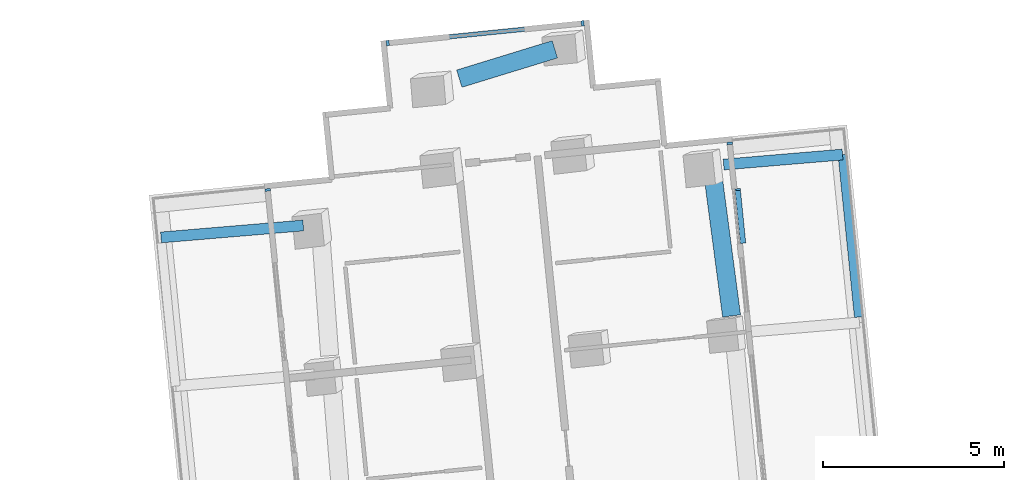
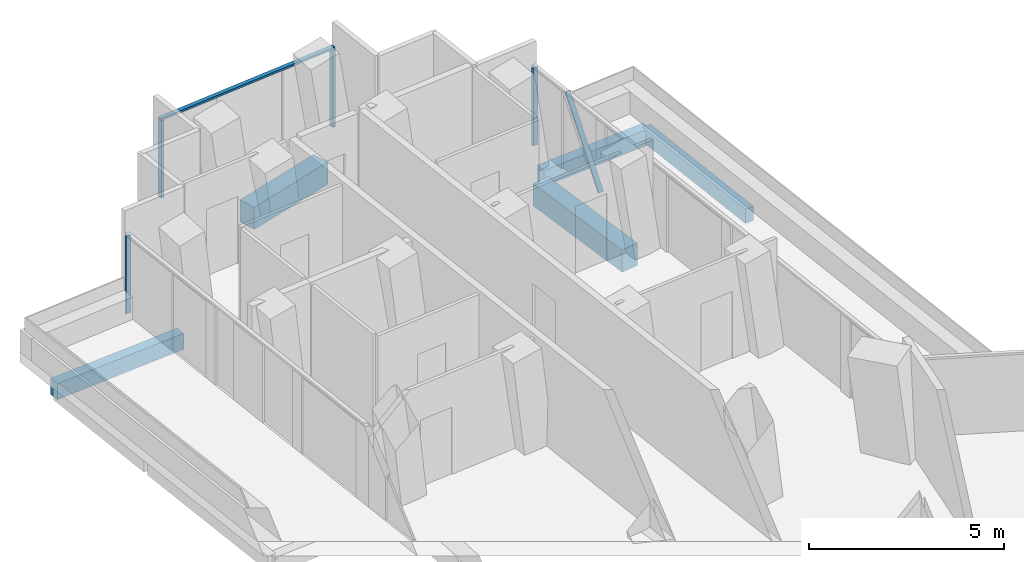
# One storey, part 12 of 26: 6 members, 5 beams, 3 elements without a shape of their own.
"""IFC4 building model written with IfcOpenShell, lengths in metres."""

from ifc_helpers import new_model, si_unit, direction, frame, origin, origin_2d, place, context, subcontext, project, spatial, rectangle, extrude, material, layer, layer_set, material_profile, profile_set, type_object, element, aggregate, save


model = new_model("IFC4")

# Units and contexts
model_context = context("Model", 3, precision=1e-05, world=origin(), true_north=direction((0.0, 1.0)))
body_context = subcontext(model_context, "Body", "Model", "MODEL_VIEW")
ifc_project = project(units=[si_unit("LENGTHUNIT", "METRE"), si_unit("AREAUNIT", "SQUARE_METRE"), si_unit("VOLUMEUNIT", "CUBIC_METRE"), si_unit("PLANEANGLEUNIT", "RADIAN"), si_unit("MASSUNIT", "GRAM", prefix="KILO")], contexts=[model_context])

# Site, building, storey
site_placement = place(None, origin())
site = spatial("IfcSite", under=ifc_project, at=site_placement, CompositionType="ELEMENT")
building_placement = place(site_placement, origin())
building = spatial("IfcBuilding", under=site, at=building_placement, Name="Verdalira Terraces Hotel", CompositionType="ELEMENT")
storey_placement = place(building_placement, frame((0.0, 0.0, 56.5)))
storey = spatial("IfcBuildingStorey", under=building, at=storey_placement, Name="L12", CompositionType="ELEMENT", Elevation=56.5)

# Beams
ifc_material_1 = material(Name="Concrete C40", Category="concrete")
ifc_material_profile_1 = material_profile(ifc_material_1, rectangle(XDim=0.300049, YDim=0.5, at=origin_2d()), Name="RC 300X500")
ifc_profile_set_1 = profile_set([ifc_material_profile_1], Name="Concrete C40")
beam_type_1 = type_object("IfcBeamType", Name="Balcony cantilever beam RC 300X500 C40", PredefinedType="BEAM", material=ifc_profile_set_1)
beam_1_placement = place(storey_placement, frame((2.175781, 40.197998, -0.560059), z_axis=(0.99649611, 0.083639117, 0.0), x_axis=(-0.083639117, 0.99649611, 0.0)))
element("IfcBeam", 1, at=beam_1_placement, inside=storey, type_object=beam_type_1, Name="Balcony cantilever beam R00-4", PredefinedType="BEAM", context=body_context, shape_type="SweptSolid", body=[
    extrude(rectangle(XDim=0.300049, YDim=0.5, at=origin_2d()), origin(), (0.0, 0.0, 1.0), 3.30127),
])
beam_2_placement = place(storey_placement, frame((-9.454102, 38.511963, -0.560059), z_axis=(-0.996492272, -0.083684831, 0.0), x_axis=(0.083684831, -0.996492272, 0.0)))
element("IfcBeam", 2, at=beam_2_placement, inside=storey, type_object=beam_type_1, Name="Balcony cantilever beam R10-4", PredefinedType="BEAM", context=body_context, shape_type="SweptSolid", body=[
    extrude(rectangle(XDim=0.300049, YDim=0.5, at=origin_2d()), origin(), (0.0, 0.0, 1.0), 3.950195),
])
ifc_material_2 = material(Name="Concrete C40", Category="concrete")
ifc_material_profile_2 = material_profile(ifc_material_2, rectangle(XDim=0.25, YDim=0.449951, at=origin_2d()), Name="RC 250X450")
ifc_profile_set_2 = profile_set([ifc_material_profile_2], Name="Concrete C40")
beam_type_2 = type_object("IfcBeamType", Name="Balcony edge beam RC 250X450 C40", PredefinedType="BEAM", material=ifc_profile_set_2)
beam_3_placement = place(storey_placement, frame((5.919189, 35.978027, -0.534912), z_axis=(-0.10038094, 0.994949078, 0.0), x_axis=(-0.994949078, -0.10038094, 0.0)))
element("IfcBeam", 3, at=beam_3_placement, inside=storey, type_object=beam_type_2, Name="Balcony edge beam R00-3", PredefinedType="BEAM", context=body_context, shape_type="SweptSolid", body=[
    extrude(rectangle(XDim=0.25, YDim=0.449951, at=origin_2d()), origin(), (0.0, 0.0, 1.0), 4.518799),
])

# Curtain wall, member
ifc_material_3 = material(Name="Clear glass", Category="glass")
ifc_layer_1 = layer(ifc_material_3, 0.14990234375)
ifc_layer_set_1 = layer_set([ifc_layer_1], Name="CW2 curtain wall")
curtain_wall_type_1 = type_object("IfcCurtainWallType", Name="CW2 curtain wall", PredefinedType="NOTDEFINED", material=ifc_layer_set_1)
curtain_wall_1_placement = place(storey_placement, origin())
curtain_wall_1 = element("IfcCurtainWall", 4, at=curtain_wall_1_placement, inside=storey, type_object=curtain_wall_type_1, Name="CW2 curtain wall L12 edge 0", PredefinedType="NOTDEFINED")
ifc_material_4 = material(Name="Terracotta frame", Category="masonry")
ifc_material_profile_3 = material_profile(ifc_material_4, rectangle(XDim=0.070068, YDim=0.149902, at=origin_2d()), Name="MU 70x150")
ifc_profile_set_3 = profile_set([ifc_material_profile_3], Name="Terracotta frame")
member_type_1 = type_object("IfcMemberType", Name="CW2 mullion 70x150", PredefinedType="MULLION", material=ifc_profile_set_3)
member_1_placement = place(storey_placement, frame((2.343506, 40.7854, 0.0), z_axis=(0.0, 0.0, 1.0), x_axis=(-0.100361715, 0.994951017, 0.0)))
member_1 = element("IfcMember", 5, at=member_1_placement, type_object=member_type_1, Name="CW2 mullion", PredefinedType="MULLION", context=body_context, shape_type="SweptSolid", body=[
    extrude(rectangle(XDim=0.070068, YDim=0.149902, at=origin_2d()), origin(), (0.0, 0.0, 1.0), 2.425049),
])

curtain_wall_2_placement = place(storey_placement, origin())
curtain_wall_2 = element("IfcCurtainWall", 6, at=curtain_wall_2_placement, inside=storey, type_object=curtain_wall_type_1, Name="CW2 curtain wall L12 edge 10", PredefinedType="NOTDEFINED")
member_2_placement = place(storey_placement, frame((-10.44165, 39.495605, 0.0), z_axis=(0.0, 0.0, 1.0), x_axis=(0.100361715, -0.994951017, 0.0)))
member_2 = element("IfcMember", 7, at=member_2_placement, type_object=member_type_1, Name="CW2 mullion", PredefinedType="MULLION", context=body_context, shape_type="SweptSolid", body=[
    extrude(rectangle(XDim=0.070068, YDim=0.149902, at=origin_2d()), origin(), (0.0, 0.0, 1.0), 2.425049),
])
aggregate(curtain_wall_2, [member_2])

# Curtain wall, members
ifc_material_5 = material(Name="Clear glass", Category="glass")
ifc_layer_2 = layer(ifc_material_5, 0.14990234375)
ifc_layer_set_2 = layer_set([ifc_layer_2], Name="CW3 curtain wall")
curtain_wall_type_2 = type_object("IfcCurtainWallType", Name="CW3 curtain wall", PredefinedType="NOTDEFINED", material=ifc_layer_set_2)
curtain_wall_3_placement = place(storey_placement, origin())
curtain_wall_3 = element("IfcCurtainWall", 8, at=curtain_wall_3_placement, inside=storey, type_object=curtain_wall_type_2, Name="CW3 curtain wall L12 edge 5", PredefinedType="NOTDEFINED")
ifc_material_6 = material(Name="Terracotta frame", Category="masonry")
ifc_material_profile_4 = material_profile(ifc_material_6, rectangle(XDim=0.080078, YDim=0.149902, at=origin_2d()), Name="MU 80x150")
ifc_profile_set_4 = profile_set([ifc_material_profile_4], Name="Terracotta frame")
member_type_2 = type_object("IfcMemberType", Name="CW3 mullion 80x150", PredefinedType="MULLION", material=ifc_profile_set_4)
member_3_placement = place(storey_placement, frame((-1.725098, 44.10376, 0.0), z_axis=(0.0, 0.0, 1.0), x_axis=(-0.994951017, -0.100361715, 0.0)))
member_3 = element("IfcMember", 9, at=member_3_placement, type_object=member_type_2, Name="CW3 mullion", PredefinedType="MULLION", context=body_context, shape_type="SweptSolid", body=[
    extrude(rectangle(XDim=0.080078, YDim=0.149902, at=origin_2d()), origin(), (0.0, 0.0, 1.0), 2.425049),
])
member_4_placement = place(storey_placement, frame((-7.117676, 43.559814, 0.0), z_axis=(0.0, 0.0, 1.0), x_axis=(-0.994951017, -0.100361715, 0.0)))
member_4 = element("IfcMember", 10, at=member_4_placement, type_object=member_type_2, Name="CW3 mullion", PredefinedType="MULLION", context=body_context, shape_type="SweptSolid", body=[
    extrude(rectangle(XDim=0.080078, YDim=0.149902, at=origin_2d()), origin(), (0.0, 0.0, 1.0), 2.425049),
])
ifc_material_7 = material(Name="Terracotta frame", Category="masonry")
ifc_material_profile_5 = material_profile(ifc_material_7, rectangle(XDim=0.120117, YDim=0.064941, at=origin_2d()), Name="TR 65x120")
ifc_profile_set_5 = profile_set([ifc_material_profile_5], Name="Terracotta frame")
member_type_3 = type_object("IfcMemberType", Name="CW3 transom 65x120", PredefinedType="USERDEFINED", material=ifc_profile_set_5)
member_5_placement = place(storey_placement, frame((-1.685303, 44.107666, 2.45752), z_axis=(-0.994950675, -0.100365106, 0.0), x_axis=(0.100365106, -0.994950675, 0.0)))
member_5 = element("IfcMember", 11, at=member_5_placement, type_object=member_type_3, Name="CW3 transom", ObjectType="TRANSOM", PredefinedType="USERDEFINED", context=body_context, shape_type="SweptSolid", body=[
    extrude(rectangle(XDim=0.120117, YDim=0.064941, at=origin_2d()), origin(), (0.0, 0.0, 1.0), 5.5),
])
aggregate(curtain_wall_3, [member_3, member_4, member_5])

# Member
ifc_material_8 = material(Name="Terracotta frame", Category="masonry")
ifc_material_profile_6 = material_profile(ifc_material_8, rectangle(XDim=0.149902, YDim=0.060059, at=origin_2d()), Name="GB 60x150")
ifc_profile_set_6 = profile_set([ifc_material_profile_6], Name="Terracotta frame")
member_type_4 = type_object("IfcMemberType", Name="Diagonal glazing bar 60x150", PredefinedType="USERDEFINED", material=ifc_profile_set_6)
member_6_placement = place(storey_placement, frame((2.711182, 38.046143, 0.042236), z_axis=(-0.053220243, 0.52804736, 0.847545628), x_axis=(-0.994959373, -0.100278845, 0.0)))
member_6 = element("IfcMember", 12, at=member_6_placement, type_object=member_type_4, Name="Diagonal glazing bar", ObjectType="GLAZING BAR", PredefinedType="USERDEFINED", context=body_context, shape_type="SweptSolid", body=[
    extrude(rectangle(XDim=0.149902, YDim=0.060059, at=origin_2d()), origin(), (0.0, 0.0, 1.0), 2.761475),
])

aggregate(curtain_wall_1, [member_1, member_6])

# Beams
ifc_material_9 = material(Name="Concrete C70", Category="concrete")
ifc_material_profile_7 = material_profile(ifc_material_9, rectangle(XDim=0.5, YDim=0.699951, at=origin_2d()), Name="RC 500X700")
ifc_profile_set_7 = profile_set([ifc_material_profile_7], Name="Concrete C70")
beam_type_3 = type_object("IfcBeamType", Name="Spandrel beam RC 500X700 C70", PredefinedType="SPANDREL", material=ifc_profile_set_7)
beam_4_placement = place(storey_placement, frame((2.39502, 36.009521, -0.659912), z_axis=(-0.131147484, 0.991362869, 0.0), x_axis=(-0.991362869, -0.131147484, 0.0)))
element("IfcBeam", 13, at=beam_4_placement, inside=storey, type_object=beam_type_3, Name="Spandrel beam B03", PredefinedType="SPANDREL", context=body_context, shape_type="SweptSolid", body=[
    extrude(rectangle(XDim=0.5, YDim=0.699951, at=origin_2d()), origin(), (0.0, 0.0, 1.0), 3.745605),
])
beam_5_placement = place(storey_placement, frame((-2.493408, 43.38623, -0.659912), z_axis=(-0.955965784, -0.293478143, 0.0), x_axis=(0.293478143, -0.955965784, 0.0)))
element("IfcBeam", 14, at=beam_5_placement, inside=storey, type_object=beam_type_3, Name="Spandrel beam B04", PredefinedType="SPANDREL", context=body_context, shape_type="SweptSolid", body=[
    extrude(rectangle(XDim=0.5, YDim=0.699951, at=origin_2d()), origin(), (0.0, 0.0, 1.0), 2.766846),
])

save(model, "model.ifc")
